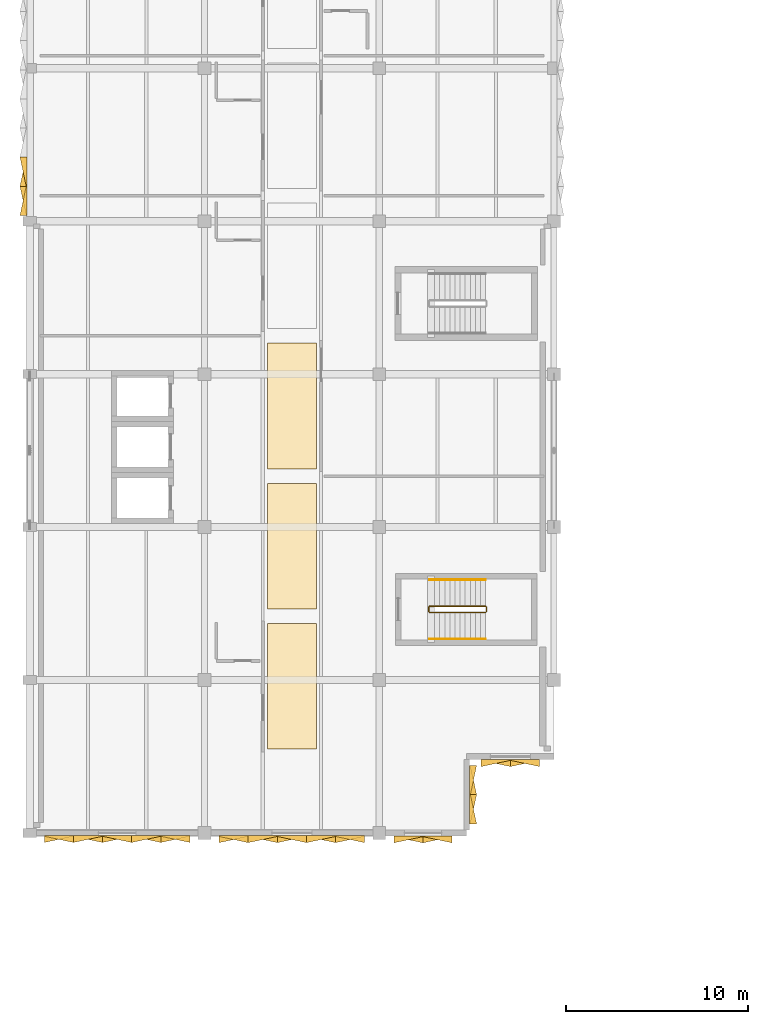
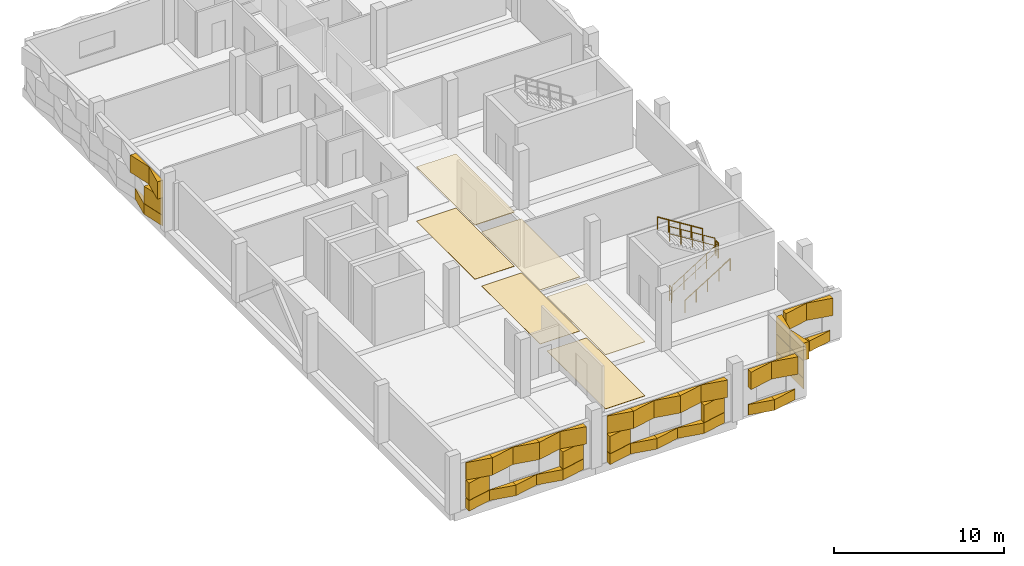
# One storey, part 49 of 57: 49 coverings, 6 railings.
"""IFC4 building model written with IfcOpenShell, lengths in metres."""

from ifc_helpers import new_model, si_unit, direction, frame, origin, origin_2d, place, context, subcontext, project, spatial, polyline, circle, outline, extrude, material, layer, layer_set, type_object, element, save


model = new_model("IFC4")

# Units and contexts
model_context = context("Model", 3, precision=1e-05, world=origin(), true_north=direction((0.0, 1.0)))
body_context = subcontext(model_context, "Body", "Model", "MODEL_VIEW")
ifc_project = project(units=[si_unit("LENGTHUNIT", "METRE"), si_unit("AREAUNIT", "SQUARE_METRE"), si_unit("VOLUMEUNIT", "CUBIC_METRE"), si_unit("PLANEANGLEUNIT", "RADIAN"), si_unit("MASSUNIT", "GRAM", prefix="KILO")], contexts=[model_context])

# Site, building, storey
site_placement = place(None, origin())
site = spatial("IfcSite", under=ifc_project, at=site_placement, CompositionType="ELEMENT")
building_placement = place(site_placement, origin())
building = spatial("IfcBuilding", under=site, at=building_placement, Name="Oolite Switchyard Hospital", CompositionType="ELEMENT")
storey_placement = place(building_placement, frame((0.0, 0.0, 17.800048828125)))
storey = spatial("IfcBuildingStorey", under=building, at=storey_placement, Name="L04", CompositionType="ELEMENT", Elevation=17.800048828125)

# Coverings
ifc_material_1 = material(Name="Hygienic washable mineral-fibre acoustic ceiling")
ifc_layer_1 = layer(ifc_material_1, 0.0400390625)
ifc_layer_set_1 = layer_set([ifc_layer_1], Name="COV-CEIL-AC60")
covering_type_1 = type_object("IfcCoveringType", Name="COV-CEIL-AC60", PredefinedType="CEILING", material=ifc_layer_set_1)
covering_1_placement = place(storey_placement, frame((0.0, 0.0, 3.885009765625)))
element("IfcCovering", 1, at=covering_1_placement, inside=storey, type_object=covering_type_1, Name="L04 West Maternal LDRP Ward Corridor Ceiling 1", PredefinedType="CEILING", context=body_context, shape_type="SweptSolid", body=[
    extrude(outline(polyline([(13.050048828125, 38.199951171875), (15.75, 38.199951171875), (15.75, 45.10009765625), (13.050048828125, 45.10009765625), (13.050048828125, 38.199951171875)])), origin(), (0.0, 0.0, 1.0), 0.0400390625),
])
covering_2_placement = place(storey_placement, frame((0.0, 0.0, 3.885009765625)))
element("IfcCovering", 2, at=covering_2_placement, inside=storey, type_object=covering_type_1, Name="L04 West Maternal LDRP Ward Corridor Ceiling 2", PredefinedType="CEILING", context=body_context, shape_type="SweptSolid", body=[
    extrude(outline(polyline([(13.050048828125, 45.89990234375), (15.75, 45.89990234375), (15.75, 52.800048828125), (13.050048828125, 52.800048828125), (13.050048828125, 45.89990234375)])), origin(), (0.0, 0.0, 1.0), 0.0400390625),
])
covering_3_placement = place(storey_placement, frame((0.0, 0.0, 3.885009765625)))
element("IfcCovering", 3, at=covering_3_placement, inside=storey, type_object=covering_type_1, Name="L04 West Maternal LDRP Ward Corridor Ceiling 3", PredefinedType="CEILING", context=body_context, shape_type="SweptSolid", body=[
    extrude(outline(polyline([(13.050048828125, 53.60009765625), (15.75, 53.60009765625), (15.75, 60.5), (13.050048828125, 60.5), (13.050048828125, 53.60009765625)])), origin(), (0.0, 0.0, 1.0), 0.0400390625),
])
ifc_material_2 = material(Name="Precast oolitic limestone architectural concrete C40/50", Category="masonry")
covering_type_2 = type_object("IfcCoveringType", Name="COV-CHEV-WARM", PredefinedType="CLADDING", material=ifc_material_2)
covering_4_placement = place(storey_placement, frame((8.800048828125, 33.4599609375, 0.050048828125), z_axis=(0.0, 0.0, 1.0), x_axis=(-1.0, 0.0, 0.0)))
element("IfcCovering", 4, at=covering_4_placement, inside=storey, type_object=covering_type_2, Name="L04 Chevron Precast Oolite Panel 632", PredefinedType="CLADDING", context=body_context, shape_type="SweptSolid", body=[
    extrude(outline(polyline([(0.0, 0.0), (1.60009765625, 0.0), (1.60009765625, 0.385009765625), (0.0, 0.044921875), (0.0, 0.0)])), origin(), (0.0, 0.0, 1.0), 0.760009765625),
])
covering_5_placement = place(storey_placement, frame((8.800048828125, 33.4599609375, 2.08984375), z_axis=(0.0, 0.0, 1.0), x_axis=(-1.0, 0.0, 0.0)))
element("IfcCovering", 5, at=covering_5_placement, inside=storey, type_object=covering_type_2, Name="L04 Chevron Precast Oolite Panel 633", PredefinedType="CLADDING", context=body_context, shape_type="SweptSolid", body=[
    extrude(outline(polyline([(0.0, 0.0), (1.60009765625, 0.0), (1.60009765625, 0.044921875), (0.0, 0.385009765625), (0.0, 0.0)])), origin(), (0.0, 0.0, 1.0), 1.25),
])
covering_6_placement = place(storey_placement, frame((8.800048828125, 33.4599609375, 0.829833984375), z_axis=(0.0, 0.0, 1.0), x_axis=(-1.0, 0.0, 0.0)))
element("IfcCovering", 6, at=covering_6_placement, inside=storey, type_object=covering_type_2, Name="L04 Chevron Precast Oolite Panel 634", PredefinedType="CLADDING", context=body_context, shape_type="SweptSolid", body=[
    extrude(outline(polyline([(0.0, 0.0), (1.60009765625, 0.0), (1.60009765625, 0.385009765625), (0.0, 0.044921875), (0.0, 0.0)])), origin(), (0.0, 0.0, 1.0), 1.240234375),
])
covering_7_placement = place(storey_placement, frame((7.199951171875, 33.4599609375, 0.050048828125), z_axis=(0.0, 0.0, 1.0), x_axis=(-1.0, 0.0, 0.0)))
element("IfcCovering", 7, at=covering_7_placement, inside=storey, type_object=covering_type_2, Name="L04 Chevron Precast Oolite Panel 635", PredefinedType="CLADDING", context=body_context, shape_type="SweptSolid", body=[
    extrude(outline(polyline([(0.0, 0.0), (1.599853515625, 0.0), (1.599853515625, 0.044921875), (0.0, 0.385009765625), (0.0, 0.0)])), origin(), (0.0, 0.0, 1.0), 0.760009765625),
])
covering_8_placement = place(storey_placement, frame((7.199951171875, 33.4599609375, 2.08984375), z_axis=(0.0, 0.0, 1.0), x_axis=(-1.0, 0.0, 0.0)))
element("IfcCovering", 8, at=covering_8_placement, inside=storey, type_object=covering_type_2, Name="L04 Chevron Precast Oolite Panel 636", PredefinedType="CLADDING", context=body_context, shape_type="SweptSolid", body=[
    extrude(outline(polyline([(0.0, 0.0), (1.599853515625, 0.0), (1.599853515625, 0.385009765625), (0.0, 0.044921875), (0.0, 0.0)])), origin(), (0.0, 0.0, 1.0), 1.25),
])
covering_9_placement = place(storey_placement, frame((5.60009765625, 33.4599609375, 0.050048828125), z_axis=(0.0, 0.0, 1.0), x_axis=(-1.0, 0.0, 0.0)))
element("IfcCovering", 9, at=covering_9_placement, inside=storey, type_object=covering_type_2, Name="L04 Chevron Precast Oolite Panel 637", PredefinedType="CLADDING", context=body_context, shape_type="SweptSolid", body=[
    extrude(outline(polyline([(0.0, 0.0), (1.60009765625, 0.0), (1.60009765625, 0.385009765625), (0.0, 0.044921875), (0.0, 0.0)])), origin(), (0.0, 0.0, 1.0), 0.760009765625),
])
covering_10_placement = place(storey_placement, frame((5.60009765625, 33.4599609375, 2.08984375), z_axis=(0.0, 0.0, 1.0), x_axis=(-1.0, 0.0, 0.0)))
element("IfcCovering", 10, at=covering_10_placement, inside=storey, type_object=covering_type_2, Name="L04 Chevron Precast Oolite Panel 638", PredefinedType="CLADDING", context=body_context, shape_type="SweptSolid", body=[
    extrude(outline(polyline([(0.0, 0.0), (1.60009765625, 0.0), (1.60009765625, 0.044921875), (0.0, 0.385009765625), (0.0, 0.0)])), origin(), (0.0, 0.0, 1.0), 1.25),
])
covering_11_placement = place(storey_placement, frame((4.0, 33.4599609375, 0.050048828125), z_axis=(0.0, 0.0, 1.0), x_axis=(-1.0, 0.0, 0.0)))
element("IfcCovering", 11, at=covering_11_placement, inside=storey, type_object=covering_type_2, Name="L04 Chevron Precast Oolite Panel 639", PredefinedType="CLADDING", context=body_context, shape_type="SweptSolid", body=[
    extrude(outline(polyline([(0.0, 0.0), (1.60009765625, 0.0), (1.60009765625, 0.044921875), (0.0, 0.385009765625), (0.0, 0.0)])), origin(), (0.0, 0.0, 1.0), 0.760009765625),
])
covering_12_placement = place(storey_placement, frame((4.0, 33.4599609375, 2.08984375), z_axis=(0.0, 0.0, 1.0), x_axis=(-1.0, 0.0, 0.0)))
element("IfcCovering", 12, at=covering_12_placement, inside=storey, type_object=covering_type_2, Name="L04 Chevron Precast Oolite Panel 640", PredefinedType="CLADDING", context=body_context, shape_type="SweptSolid", body=[
    extrude(outline(polyline([(0.0, 0.0), (1.60009765625, 0.0), (1.60009765625, 0.385009765625), (0.0, 0.044921875), (0.0, 0.0)])), origin(), (0.0, 0.0, 1.0), 1.25),
])
covering_13_placement = place(storey_placement, frame((2.39990234375, 33.4599609375, 0.050048828125), z_axis=(0.0, 0.0, 1.0), x_axis=(-1.0, 0.0, 0.0)))
element("IfcCovering", 13, at=covering_13_placement, inside=storey, type_object=covering_type_2, Name="L04 Chevron Precast Oolite Panel 641", PredefinedType="CLADDING", context=body_context, shape_type="SweptSolid", body=[
    extrude(outline(polyline([(0.0, 0.0), (1.599853515625, 0.0), (1.599853515625, 0.385009765625), (0.0, 0.044921875), (0.0, 0.0)])), origin(), (0.0, 0.0, 1.0), 0.760009765625),
])
covering_14_placement = place(storey_placement, frame((2.39990234375, 33.4599609375, 2.08984375), z_axis=(0.0, 0.0, 1.0), x_axis=(-1.0, 0.0, 0.0)))
element("IfcCovering", 14, at=covering_14_placement, inside=storey, type_object=covering_type_2, Name="L04 Chevron Precast Oolite Panel 642", PredefinedType="CLADDING", context=body_context, shape_type="SweptSolid", body=[
    extrude(outline(polyline([(0.0, 0.0), (1.599853515625, 0.0), (1.599853515625, 0.044921875), (0.0, 0.385009765625), (0.0, 0.0)])), origin(), (0.0, 0.0, 1.0), 1.25),
])
covering_15_placement = place(storey_placement, frame((2.39990234375, 33.4599609375, 0.829833984375), z_axis=(0.0, 0.0, 1.0), x_axis=(-1.0, 0.0, 0.0)))
element("IfcCovering", 15, at=covering_15_placement, inside=storey, type_object=covering_type_2, Name="L04 Chevron Precast Oolite Panel 643", PredefinedType="CLADDING", context=body_context, shape_type="SweptSolid", body=[
    extrude(outline(polyline([(0.0, 0.0), (1.599853515625, 0.0), (1.599853515625, 0.385009765625), (0.0, 0.044921875), (0.0, 0.0)])), origin(), (0.0, 0.0, 1.0), 1.240234375),
])
covering_16_placement = place(storey_placement, frame((18.39990234375, 33.449951171875, 0.050048828125), z_axis=(0.0, 0.0, 1.0), x_axis=(-1.0, 0.0, 0.0)))
element("IfcCovering", 16, at=covering_16_placement, inside=storey, type_object=covering_type_2, Name="L04 Chevron Precast Oolite Panel 644", PredefinedType="CLADDING", context=body_context, shape_type="SweptSolid", body=[
    extrude(outline(polyline([(0.0, 0.0), (1.599853515625, 0.0), (1.599853515625, 0.385009765625), (0.0, 0.044921875), (0.0, 0.0)])), origin(), (0.0, 0.0, 1.0), 0.760009765625),
])
covering_17_placement = place(storey_placement, frame((18.39990234375, 33.449951171875, 2.08984375), z_axis=(0.0, 0.0, 1.0), x_axis=(-1.0, 0.0, 0.0)))
element("IfcCovering", 17, at=covering_17_placement, inside=storey, type_object=covering_type_2, Name="L04 Chevron Precast Oolite Panel 645", PredefinedType="CLADDING", context=body_context, shape_type="SweptSolid", body=[
    extrude(outline(polyline([(0.0, 0.0), (1.599853515625, 0.0), (1.599853515625, 0.044921875), (0.0, 0.385009765625), (0.0, 0.0)])), origin(), (0.0, 0.0, 1.0), 1.25),
])
covering_18_placement = place(storey_placement, frame((18.39990234375, 33.449951171875, 0.829833984375), z_axis=(0.0, 0.0, 1.0), x_axis=(-1.0, 0.0, 0.0)))
element("IfcCovering", 18, at=covering_18_placement, inside=storey, type_object=covering_type_2, Name="L04 Chevron Precast Oolite Panel 646", PredefinedType="CLADDING", context=body_context, shape_type="SweptSolid", body=[
    extrude(outline(polyline([(0.0, 0.0), (1.599853515625, 0.0), (1.599853515625, 0.385009765625), (0.0, 0.044921875), (0.0, 0.0)])), origin(), (0.0, 0.0, 1.0), 1.240234375),
])
covering_19_placement = place(storey_placement, frame((16.800048828125, 33.449951171875, 0.050048828125), z_axis=(0.0, 0.0, 1.0), x_axis=(-1.0, 0.0, 0.0)))
element("IfcCovering", 19, at=covering_19_placement, inside=storey, type_object=covering_type_2, Name="L04 Chevron Precast Oolite Panel 647", PredefinedType="CLADDING", context=body_context, shape_type="SweptSolid", body=[
    extrude(outline(polyline([(0.0, 0.0), (1.60009765625, 0.0), (1.60009765625, 0.044921875), (0.0, 0.385009765625), (0.0, 0.0)])), origin(), (0.0, 0.0, 1.0), 0.760009765625),
])
covering_20_placement = place(storey_placement, frame((16.800048828125, 33.449951171875, 2.08984375), z_axis=(0.0, 0.0, 1.0), x_axis=(-1.0, 0.0, 0.0)))
element("IfcCovering", 20, at=covering_20_placement, inside=storey, type_object=covering_type_2, Name="L04 Chevron Precast Oolite Panel 648", PredefinedType="CLADDING", context=body_context, shape_type="SweptSolid", body=[
    extrude(outline(polyline([(0.0, 0.0), (1.60009765625, 0.0), (1.60009765625, 0.385009765625), (0.0, 0.044921875), (0.0, 0.0)])), origin(), (0.0, 0.0, 1.0), 1.25),
])
covering_21_placement = place(storey_placement, frame((15.199951171875, 33.449951171875, 0.050048828125), z_axis=(0.0, 0.0, 1.0), x_axis=(-1.0, 0.0, 0.0)))
element("IfcCovering", 21, at=covering_21_placement, inside=storey, type_object=covering_type_2, Name="L04 Chevron Precast Oolite Panel 649", PredefinedType="CLADDING", context=body_context, shape_type="SweptSolid", body=[
    extrude(outline(polyline([(0.0, 0.0), (1.599853515625, 0.0), (1.599853515625, 0.385009765625), (0.0, 0.044921875), (0.0, 0.0)])), origin(), (0.0, 0.0, 1.0), 0.760009765625),
])
covering_22_placement = place(storey_placement, frame((15.199951171875, 33.449951171875, 2.08984375), z_axis=(0.0, 0.0, 1.0), x_axis=(-1.0, 0.0, 0.0)))
element("IfcCovering", 22, at=covering_22_placement, inside=storey, type_object=covering_type_2, Name="L04 Chevron Precast Oolite Panel 650", PredefinedType="CLADDING", context=body_context, shape_type="SweptSolid", body=[
    extrude(outline(polyline([(0.0, 0.0), (1.599853515625, 0.0), (1.599853515625, 0.044921875), (0.0, 0.385009765625), (0.0, 0.0)])), origin(), (0.0, 0.0, 1.0), 1.25),
])
covering_23_placement = place(storey_placement, frame((13.60009765625, 33.449951171875, 0.050048828125), z_axis=(0.0, 0.0, 1.0), x_axis=(-1.0, 0.0, 0.0)))
element("IfcCovering", 23, at=covering_23_placement, inside=storey, type_object=covering_type_2, Name="L04 Chevron Precast Oolite Panel 651", PredefinedType="CLADDING", context=body_context, shape_type="SweptSolid", body=[
    extrude(outline(polyline([(0.0, 0.0), (1.60009765625, 0.0), (1.60009765625, 0.044921875), (0.0, 0.385009765625), (0.0, 0.0)])), origin(), (0.0, 0.0, 1.0), 0.760009765625),
])
covering_24_placement = place(storey_placement, frame((13.60009765625, 33.449951171875, 2.08984375), z_axis=(0.0, 0.0, 1.0), x_axis=(-1.0, 0.0, 0.0)))
element("IfcCovering", 24, at=covering_24_placement, inside=storey, type_object=covering_type_2, Name="L04 Chevron Precast Oolite Panel 652", PredefinedType="CLADDING", context=body_context, shape_type="SweptSolid", body=[
    extrude(outline(polyline([(0.0, 0.0), (1.60009765625, 0.0), (1.60009765625, 0.385009765625), (0.0, 0.044921875), (0.0, 0.0)])), origin(), (0.0, 0.0, 1.0), 1.25),
])
covering_25_placement = place(storey_placement, frame((12.0, 33.449951171875, 0.050048828125), z_axis=(0.0, 0.0, 1.0), x_axis=(-1.0, 0.0, 0.0)))
element("IfcCovering", 25, at=covering_25_placement, inside=storey, type_object=covering_type_2, Name="L04 Chevron Precast Oolite Panel 653", PredefinedType="CLADDING", context=body_context, shape_type="SweptSolid", body=[
    extrude(outline(polyline([(0.0, 0.0), (1.60009765625, 0.0), (1.60009765625, 0.385009765625), (0.0, 0.044921875), (0.0, 0.0)])), origin(), (0.0, 0.0, 1.0), 0.760009765625),
])
covering_26_placement = place(storey_placement, frame((12.0, 33.449951171875, 2.08984375), z_axis=(0.0, 0.0, 1.0), x_axis=(-1.0, 0.0, 0.0)))
element("IfcCovering", 26, at=covering_26_placement, inside=storey, type_object=covering_type_2, Name="L04 Chevron Precast Oolite Panel 654", PredefinedType="CLADDING", context=body_context, shape_type="SweptSolid", body=[
    extrude(outline(polyline([(0.0, 0.0), (1.60009765625, 0.0), (1.60009765625, 0.044921875), (0.0, 0.385009765625), (0.0, 0.0)])), origin(), (0.0, 0.0, 1.0), 1.25),
])
covering_27_placement = place(storey_placement, frame((12.0, 33.449951171875, 0.829833984375), z_axis=(0.0, 0.0, 1.0), x_axis=(-1.0, 0.0, 0.0)))
element("IfcCovering", 27, at=covering_27_placement, inside=storey, type_object=covering_type_2, Name="L04 Chevron Precast Oolite Panel 655", PredefinedType="CLADDING", context=body_context, shape_type="SweptSolid", body=[
    extrude(outline(polyline([(0.0, 0.0), (1.60009765625, 0.0), (1.60009765625, 0.385009765625), (0.0, 0.044921875), (0.0, 0.0)])), origin(), (0.0, 0.0, 1.0), 1.240234375),
])
covering_28_placement = place(storey_placement, frame((23.199951171875, 33.43994140625, 0.050048828125), z_axis=(0.0, 0.0, 1.0), x_axis=(-1.0, 0.0, 0.0)))
element("IfcCovering", 28, at=covering_28_placement, inside=storey, type_object=covering_type_2, Name="L04 Chevron Precast Oolite Panel 656", PredefinedType="CLADDING", context=body_context, shape_type="SweptSolid", body=[
    extrude(outline(polyline([(0.0, 0.0), (1.599853515625, 0.0), (1.599853515625, 0.385009765625), (0.0, 0.044921875), (0.0, 0.0)])), origin(), (0.0, 0.0, 1.0), 0.760009765625),
])
covering_29_placement = place(storey_placement, frame((23.199951171875, 33.43994140625, 2.08984375), z_axis=(0.0, 0.0, 1.0), x_axis=(-1.0, 0.0, 0.0)))
element("IfcCovering", 29, at=covering_29_placement, inside=storey, type_object=covering_type_2, Name="L04 Chevron Precast Oolite Panel 657", PredefinedType="CLADDING", context=body_context, shape_type="SweptSolid", body=[
    extrude(outline(polyline([(0.0, 0.0), (1.599853515625, 0.0), (1.599853515625, 0.044921875), (0.0, 0.385009765625), (0.0, 0.0)])), origin(), (0.0, 0.0, 1.0), 1.25),
])
covering_30_placement = place(storey_placement, frame((21.60009765625, 33.43994140625, 0.050048828125), z_axis=(0.0, 0.0, 1.0), x_axis=(-1.0, 0.0, 0.0)))
element("IfcCovering", 30, at=covering_30_placement, inside=storey, type_object=covering_type_2, Name="L04 Chevron Precast Oolite Panel 658", PredefinedType="CLADDING", context=body_context, shape_type="SweptSolid", body=[
    extrude(outline(polyline([(0.0, 0.0), (1.60009765625, 0.0), (1.60009765625, 0.044921875), (0.0, 0.385009765625), (0.0, 0.0)])), origin(), (0.0, 0.0, 1.0), 0.760009765625),
])
covering_31_placement = place(storey_placement, frame((21.60009765625, 33.43994140625, 2.08984375), z_axis=(0.0, 0.0, 1.0), x_axis=(-1.0, 0.0, 0.0)))
element("IfcCovering", 31, at=covering_31_placement, inside=storey, type_object=covering_type_2, Name="L04 Chevron Precast Oolite Panel 659", PredefinedType="CLADDING", context=body_context, shape_type="SweptSolid", body=[
    extrude(outline(polyline([(0.0, 0.0), (1.60009765625, 0.0), (1.60009765625, 0.385009765625), (0.0, 0.044921875), (0.0, 0.0)])), origin(), (0.0, 0.0, 1.0), 1.25),
])
covering_32_placement = place(storey_placement, frame((28.0, 37.6298828125, 0.050048828125), z_axis=(0.0, 0.0, 1.0), x_axis=(-1.0, 0.0, 0.0)))
element("IfcCovering", 32, at=covering_32_placement, inside=storey, type_object=covering_type_2, Name="L04 Chevron Precast Oolite Panel 660", PredefinedType="CLADDING", context=body_context, shape_type="SweptSolid", body=[
    extrude(outline(polyline([(0.0, 0.0), (1.60009765625, 0.0), (1.60009765625, 0.385009765625), (0.0, 0.044921875), (0.0, 0.0)])), origin(), (0.0, 0.0, 1.0), 0.760009765625),
])
covering_33_placement = place(storey_placement, frame((28.0, 37.6298828125, 2.08984375), z_axis=(0.0, 0.0, 1.0), x_axis=(-1.0, 0.0, 0.0)))
element("IfcCovering", 33, at=covering_33_placement, inside=storey, type_object=covering_type_2, Name="L04 Chevron Precast Oolite Panel 661", PredefinedType="CLADDING", context=body_context, shape_type="SweptSolid", body=[
    extrude(outline(polyline([(0.0, 0.0), (1.60009765625, 0.0), (1.60009765625, 0.044921875), (0.0, 0.385009765625), (0.0, 0.0)])), origin(), (0.0, 0.0, 1.0), 1.25),
])
covering_34_placement = place(storey_placement, frame((26.39990234375, 37.6298828125, 0.050048828125), z_axis=(0.0, 0.0, 1.0), x_axis=(-1.0, 0.0, 0.0)))
element("IfcCovering", 34, at=covering_34_placement, inside=storey, type_object=covering_type_2, Name="L04 Chevron Precast Oolite Panel 662", PredefinedType="CLADDING", context=body_context, shape_type="SweptSolid", body=[
    extrude(outline(polyline([(0.0, 0.0), (1.599853515625, 0.0), (1.599853515625, 0.044921875), (0.0, 0.385009765625), (0.0, 0.0)])), origin(), (0.0, 0.0, 1.0), 0.760009765625),
])
covering_35_placement = place(storey_placement, frame((26.39990234375, 37.6298828125, 2.08984375), z_axis=(0.0, 0.0, 1.0), x_axis=(-1.0, 0.0, 0.0)))
element("IfcCovering", 35, at=covering_35_placement, inside=storey, type_object=covering_type_2, Name="L04 Chevron Precast Oolite Panel 663", PredefinedType="CLADDING", context=body_context, shape_type="SweptSolid", body=[
    extrude(outline(polyline([(0.0, 0.0), (1.599853515625, 0.0), (1.599853515625, 0.385009765625), (0.0, 0.044921875), (0.0, 0.0)])), origin(), (0.0, 0.0, 1.0), 1.25),
])
covering_36_placement = place(storey_placement, frame((-0.14990234375, 67.52001953125, 0.050048828125), z_axis=(0.0, 0.0, 1.0), x_axis=(0.0, 1.0, 0.0)))
element("IfcCovering", 36, at=covering_36_placement, inside=storey, type_object=covering_type_2, Name="L04 Chevron Precast Oolite Panel 802", PredefinedType="CLADDING", context=body_context, shape_type="SweptSolid", body=[
    extrude(outline(polyline([(0.0, 0.0), (1.60009765625, 0.0), (1.60009765625, 0.385009765625), (0.0, 0.044921875), (0.0, 0.0)])), origin(), (0.0, 0.0, 1.0), 0.760009765625),
])
covering_37_placement = place(storey_placement, frame((-0.14990234375, 67.52001953125, 2.08984375), z_axis=(0.0, 0.0, 1.0), x_axis=(0.0, 1.0, 0.0)))
element("IfcCovering", 37, at=covering_37_placement, inside=storey, type_object=covering_type_2, Name="L04 Chevron Precast Oolite Panel 803", PredefinedType="CLADDING", context=body_context, shape_type="SweptSolid", body=[
    extrude(outline(polyline([(0.0, 0.0), (1.60009765625, 0.0), (1.60009765625, 0.044921875), (0.0, 0.385009765625), (0.0, 0.0)])), origin(), (0.0, 0.0, 1.0), 1.25),
])
covering_38_placement = place(storey_placement, frame((-0.14990234375, 67.52001953125, 0.829833984375), z_axis=(0.0, 0.0, 1.0), x_axis=(0.0, 1.0, 0.0)))
element("IfcCovering", 38, at=covering_38_placement, inside=storey, type_object=covering_type_2, Name="L04 Chevron Precast Oolite Panel 804", PredefinedType="CLADDING", context=body_context, shape_type="SweptSolid", body=[
    extrude(outline(polyline([(0.0, 0.0), (1.60009765625, 0.0), (1.60009765625, 0.385009765625), (0.0, 0.044921875), (0.0, 0.0)])), origin(), (0.0, 0.0, 1.0), 1.240234375),
])
covering_39_placement = place(storey_placement, frame((-0.14990234375, 69.1201171875, 0.050048828125), z_axis=(0.0, 0.0, 1.0), x_axis=(0.0, 1.0, 0.0)))
element("IfcCovering", 39, at=covering_39_placement, inside=storey, type_object=covering_type_2, Name="L04 Chevron Precast Oolite Panel 805", PredefinedType="CLADDING", context=body_context, shape_type="SweptSolid", body=[
    extrude(outline(polyline([(0.0, 0.0), (1.599853515625, 0.0), (1.599853515625, 0.044921875), (0.0, 0.385009765625), (0.0, 0.0)])), origin(), (0.0, 0.0, 1.0), 0.760009765625),
])
covering_40_placement = place(storey_placement, frame((-0.14990234375, 69.1201171875, 2.08984375), z_axis=(0.0, 0.0, 1.0), x_axis=(0.0, 1.0, 0.0)))
element("IfcCovering", 40, at=covering_40_placement, inside=storey, type_object=covering_type_2, Name="L04 Chevron Precast Oolite Panel 806", PredefinedType="CLADDING", context=body_context, shape_type="SweptSolid", body=[
    extrude(outline(polyline([(0.0, 0.0), (1.599853515625, 0.0), (1.599853515625, 0.385009765625), (0.0, 0.044921875), (0.0, 0.0)])), origin(), (0.0, 0.0, 1.0), 1.25),
])
covering_41_placement = place(storey_placement, frame((24.159912109375, 37.300048828125, 0.050048828125), z_axis=(0.0, 0.0, 1.0), x_axis=(0.0, -1.0, 0.0)))
element("IfcCovering", 41, at=covering_41_placement, inside=storey, type_object=covering_type_2, Name="L04 Chevron Precast Oolite Panel 832", PredefinedType="CLADDING", context=body_context, shape_type="SweptSolid", body=[
    extrude(outline(polyline([(0.0, 0.0), (1.60009765625, 0.0), (1.60009765625, 0.385009765625), (0.0, 0.044921875), (0.0, 0.0)])), origin(), (0.0, 0.0, 1.0), 0.760009765625),
])
covering_42_placement = place(storey_placement, frame((24.159912109375, 37.300048828125, 2.08984375), z_axis=(0.0, 0.0, 1.0), x_axis=(0.0, -1.0, 0.0)))
element("IfcCovering", 42, at=covering_42_placement, inside=storey, type_object=covering_type_2, Name="L04 Chevron Precast Oolite Panel 833", PredefinedType="CLADDING", context=body_context, shape_type="SweptSolid", body=[
    extrude(outline(polyline([(0.0, 0.0), (1.60009765625, 0.0), (1.60009765625, 0.044921875), (0.0, 0.385009765625), (0.0, 0.0)])), origin(), (0.0, 0.0, 1.0), 1.25),
])
covering_43_placement = place(storey_placement, frame((24.159912109375, 37.300048828125, 0.829833984375), z_axis=(0.0, 0.0, 1.0), x_axis=(0.0, -1.0, 0.0)))
element("IfcCovering", 43, at=covering_43_placement, inside=storey, type_object=covering_type_2, Name="L04 Chevron Precast Oolite Panel 834", PredefinedType="CLADDING", context=body_context, shape_type="SweptSolid", body=[
    extrude(outline(polyline([(0.0, 0.0), (1.60009765625, 0.0), (1.60009765625, 0.385009765625), (0.0, 0.044921875), (0.0, 0.0)])), origin(), (0.0, 0.0, 1.0), 1.240234375),
])
covering_44_placement = place(storey_placement, frame((24.159912109375, 35.699951171875, 0.050048828125), z_axis=(0.0, 0.0, 1.0), x_axis=(0.0, -1.0, 0.0)))
element("IfcCovering", 44, at=covering_44_placement, inside=storey, type_object=covering_type_2, Name="L04 Chevron Precast Oolite Panel 835", PredefinedType="CLADDING", context=body_context, shape_type="SweptSolid", body=[
    extrude(outline(polyline([(0.0, 0.0), (1.599853515625, 0.0), (1.599853515625, 0.044921875), (0.0, 0.385009765625), (0.0, 0.0)])), origin(), (0.0, 0.0, 1.0), 0.760009765625),
])
covering_45_placement = place(storey_placement, frame((24.159912109375, 35.699951171875, 2.08984375), z_axis=(0.0, 0.0, 1.0), x_axis=(0.0, -1.0, 0.0)))
element("IfcCovering", 45, at=covering_45_placement, inside=storey, type_object=covering_type_2, Name="L04 Chevron Precast Oolite Panel 836", PredefinedType="CLADDING", context=body_context, shape_type="SweptSolid", body=[
    extrude(outline(polyline([(0.0, 0.0), (1.599853515625, 0.0), (1.599853515625, 0.385009765625), (0.0, 0.044921875), (0.0, 0.0)])), origin(), (0.0, 0.0, 1.0), 1.25),
])
covering_46_placement = place(storey_placement, frame((24.159912109375, 35.699951171875, 0.829833984375), z_axis=(0.0, 0.0, 1.0), x_axis=(0.0, -1.0, 0.0)))
element("IfcCovering", 46, at=covering_46_placement, inside=storey, type_object=covering_type_2, Name="L04 Chevron Precast Oolite Panel 837", PredefinedType="CLADDING", context=body_context, shape_type="SweptSolid", body=[
    extrude(outline(polyline([(0.0, 0.0), (1.599853515625, 0.0), (1.599853515625, 0.044921875), (0.0, 0.385009765625), (0.0, 0.0)])), origin(), (0.0, 0.0, 1.0), 1.240234375),
])
ifc_material_3 = material(Name="Epoxy terrazzo seamless clinical flooring")
ifc_layer_2 = layer(ifc_material_3, 0.02001953125)
ifc_layer_set_2 = layer_set([ifc_layer_2], Name="COV-FLR-TER20")
covering_type_3 = type_object("IfcCoveringType", Name="COV-FLR-TER20", PredefinedType="FLOORING", material=ifc_layer_set_2)
covering_47_placement = place(storey_placement, origin())
element("IfcCovering", 47, at=covering_47_placement, inside=storey, type_object=covering_type_3, Name="L04 West Maternal LDRP Ward Corridor Flooring 1", PredefinedType="FLOORING", context=body_context, shape_type="SweptSolid", body=[
    extrude(outline(polyline([(13.050048828125, 38.199951171875), (15.75, 38.199951171875), (15.75, 45.10009765625), (13.050048828125, 45.10009765625), (13.050048828125, 38.199951171875)])), origin(), (0.0, 0.0, 1.0), 0.02001953125),
])
covering_48_placement = place(storey_placement, origin())
element("IfcCovering", 48, at=covering_48_placement, inside=storey, type_object=covering_type_3, Name="L04 West Maternal LDRP Ward Corridor Flooring 2", PredefinedType="FLOORING", context=body_context, shape_type="SweptSolid", body=[
    extrude(outline(polyline([(13.050048828125, 45.89990234375), (15.75, 45.89990234375), (15.75, 52.800048828125), (13.050048828125, 52.800048828125), (13.050048828125, 45.89990234375)])), origin(), (0.0, 0.0, 1.0), 0.02001953125),
])
covering_49_placement = place(storey_placement, origin())
element("IfcCovering", 49, at=covering_49_placement, inside=storey, type_object=covering_type_3, Name="L04 West Maternal LDRP Ward Corridor Flooring 3", PredefinedType="FLOORING", context=body_context, shape_type="SweptSolid", body=[
    extrude(outline(polyline([(13.050048828125, 53.60009765625), (15.75, 53.60009765625), (15.75, 60.5), (13.050048828125, 60.5), (13.050048828125, 53.60009765625)])), origin(), (0.0, 0.0, 1.0), 0.02001953125),
])

# Railings
ifc_material_4 = material(Name="Galvanized painted architectural steel handrail", Category="steel")
railing_type_1 = type_object("IfcRailingType", Name="RL-STAIR-GRD", PredefinedType="GUARDRAIL", material=ifc_material_4)
railing_1_placement = place(storey_placement, frame((21.9599609375, 45.7099609375, 0.175048828125)))
element("IfcRailing", 50, at=railing_1_placement, inside=storey, type_object=railing_type_1, Name="L04 ST-01 stair guard 1", PredefinedType="GUARDRAIL", context=body_context, shape_type="SweptSolid", body=[
    extrude(circle(Radius=0.02392578125, at=origin_2d()), frame((0.0, 0.0, 1.076171875), z_axis=(0.848028513186, 0.0, 0.529950602248), x_axis=(0.0, 1.0, 0.0)), (0.0, 0.0, 1.0), 3.632080078125),
    extrude(circle(Radius=0.015625, at=origin_2d()), frame((0.0, 0.0, 0.550048828125), z_axis=(0.848028513186, 0.0, 0.529950602248), x_axis=(0.0, 1.0, 0.0)), (0.0, 0.0, 1.0), 3.632080078125),
    extrude(circle(Radius=0.02099609375, at=origin_2d()), origin(), (0.0, 0.0, 1.0), 1.052001953125),
    extrude(circle(Radius=0.02099609375, at=origin_2d()), frame((0.77001953125, 0.0, 0.481201171875)), (0.0, 0.0, 1.0), 1.052001953125),
    extrude(circle(Radius=0.02099609375, at=origin_2d()), frame((1.5400390625, 0.0, 0.96240234375)), (0.0, 0.0, 1.0), 1.052001953125),
    extrude(circle(Radius=0.02099609375, at=origin_2d()), frame((2.31005859375, 0.0, 1.443603515625)), (0.0, 0.0, 1.0), 1.052001953125),
    extrude(circle(Radius=0.02099609375, at=origin_2d()), frame((3.080078125, 0.0, 1.9248046875)), (0.0, 0.0, 1.0), 1.052001953125),
])
railing_2_placement = place(storey_placement, frame((25.090087890625, 45.760009765625, 2.099853515625)))
element("IfcRailing", 51, at=railing_2_placement, inside=storey, type_object=railing_type_1, Name="L04 ST-01 stair guard 2", PredefinedType="GUARDRAIL", context=body_context, shape_type="SweptSolid", body=[
    extrude(circle(Radius=0.02392578125, at=origin_2d()), frame((0.0, 0.0, 1.076171875), z_axis=(0.0, 1.0, 0.0), x_axis=(-1.0, 0.0, 0.0)), (0.0, 0.0, 1.0), 0.239990234375),
    extrude(circle(Radius=0.015625, at=origin_2d()), frame((0.0, 0.0, 0.550048828125), z_axis=(0.0, 1.0, 0.0), x_axis=(-1.0, 0.0, 0.0)), (0.0, 0.0, 1.0), 0.239990234375),
    extrude(circle(Radius=0.02099609375, at=origin_2d()), origin(), (0.0, 0.0, 1.0), 1.052001953125),
    extrude(circle(Radius=0.02099609375, at=origin_2d()), frame((0.0, 0.239990234375, 0.0)), (0.0, 0.0, 1.0), 1.052001953125),
])
railing_3_placement = place(storey_placement, frame((25.0400390625, 46.050048828125, 2.27490234375)))
element("IfcRailing", 52, at=railing_3_placement, inside=storey, type_object=railing_type_1, Name="L04 ST-01 stair guard 3", PredefinedType="GUARDRAIL", context=body_context, shape_type="SweptSolid", body=[
    extrude(circle(Radius=0.02392578125, at=origin_2d()), frame((0.0, 0.0, 1.076171875), z_axis=(-0.847998304005, 0.0, 0.529998940003), x_axis=(0.0, -1.0, 0.0)), (0.0, 0.0, 1.0), 3.632080078125),
    extrude(circle(Radius=0.015625, at=origin_2d()), frame((0.0, 0.0, 0.550048828125), z_axis=(-0.847998304005, 0.0, 0.529998940003), x_axis=(0.0, -1.0, 0.0)), (0.0, 0.0, 1.0), 3.632080078125),
    extrude(circle(Radius=0.02099609375, at=origin_2d()), origin(), (0.0, 0.0, 1.0), 1.052001953125),
    extrude(circle(Radius=0.02099609375, at=origin_2d()), frame((-0.77001953125, 0.0, 0.481201171875)), (0.0, 0.0, 1.0), 1.052001953125),
    extrude(circle(Radius=0.02099609375, at=origin_2d()), frame((-1.5400390625, 0.0, 0.96240234375)), (0.0, 0.0, 1.0), 1.052001953125),
    extrude(circle(Radius=0.02099609375, at=origin_2d()), frame((-2.31005859375, 0.0, 1.44384765625)), (0.0, 0.0, 1.0), 1.052001953125),
    extrude(circle(Radius=0.02099609375, at=origin_2d()), frame((-3.080078125, 0.0, 1.925048828125)), (0.0, 0.0, 1.0), 1.052001953125),
])
railing_4_placement = place(storey_placement, frame((21.909912109375, 45.760009765625, 0.0)))
element("IfcRailing", 53, at=railing_4_placement, inside=storey, type_object=railing_type_1, Name="L04 ST-01 stair guard 4", PredefinedType="GUARDRAIL", context=body_context, shape_type="SweptSolid", body=[
    extrude(circle(Radius=0.02392578125, at=origin_2d()), frame((0.0, 0.0, 1.076171875), z_axis=(0.0, 1.0, 0.0), x_axis=(-1.0, 0.0, 0.0)), (0.0, 0.0, 1.0), 0.239990234375),
    extrude(circle(Radius=0.015625, at=origin_2d()), frame((0.0, 0.0, 0.550048828125), z_axis=(0.0, 1.0, 0.0), x_axis=(-1.0, 0.0, 0.0)), (0.0, 0.0, 1.0), 0.239990234375),
    extrude(circle(Radius=0.02099609375, at=origin_2d()), origin(), (0.0, 0.0, 1.0), 1.052001953125),
    extrude(circle(Radius=0.02099609375, at=origin_2d()), frame((0.0, 0.239990234375, 0.0)), (0.0, 0.0, 1.0), 1.052001953125),
])
railing_type_2 = type_object("IfcRailingType", Name="RL-STAIR-HND", PredefinedType="HANDRAIL", material=ifc_material_4)
railing_5_placement = place(storey_placement, frame((21.9599609375, 44.25, 0.175048828125)))
element("IfcRailing", 54, at=railing_5_placement, inside=storey, type_object=railing_type_2, Name="L04 ST-01 stair handrail 1", PredefinedType="HANDRAIL", context=body_context, shape_type="SweptSolid", body=[
    extrude(circle(Radius=0.02392578125, at=origin_2d()), frame((0.0, 0.0, 0.8759765625), z_axis=(0.848028513186, 0.0, 0.529950602248), x_axis=(0.0, 1.0, 0.0)), (0.0, 0.0, 1.0), 3.632080078125),
    extrude(circle(Radius=0.02099609375, at=origin_2d()), origin(), (0.0, 0.0, 1.0), 0.851806640625),
    extrude(circle(Radius=0.02099609375, at=origin_2d()), frame((0.77001953125, 0.0, 0.481201171875)), (0.0, 0.0, 1.0), 0.851806640625),
    extrude(circle(Radius=0.02099609375, at=origin_2d()), frame((1.5400390625, 0.0, 0.96240234375)), (0.0, 0.0, 1.0), 0.851806640625),
    extrude(circle(Radius=0.02099609375, at=origin_2d()), frame((2.31005859375, 0.0, 1.443603515625)), (0.0, 0.0, 1.0), 0.851806640625),
    extrude(circle(Radius=0.02099609375, at=origin_2d()), frame((3.080078125, 0.0, 1.9248046875)), (0.0, 0.0, 1.0), 0.851806640625),
])
railing_6_placement = place(storey_placement, frame((25.0400390625, 47.510009765625, 2.27490234375)))
element("IfcRailing", 55, at=railing_6_placement, inside=storey, type_object=railing_type_2, Name="L04 ST-01 stair handrail 2", PredefinedType="HANDRAIL", context=body_context, shape_type="SweptSolid", body=[
    extrude(circle(Radius=0.02392578125, at=origin_2d()), frame((0.0, 0.0, 0.8759765625), z_axis=(-0.847998304005, 0.0, 0.529998940003), x_axis=(0.0, -1.0, 0.0)), (0.0, 0.0, 1.0), 3.632080078125),
    extrude(circle(Radius=0.02099609375, at=origin_2d()), origin(), (0.0, 0.0, 1.0), 0.851806640625),
    extrude(circle(Radius=0.02099609375, at=origin_2d()), frame((-0.77001953125, 0.0, 0.481201171875)), (0.0, 0.0, 1.0), 0.851806640625),
    extrude(circle(Radius=0.02099609375, at=origin_2d()), frame((-1.5400390625, 0.0, 0.96240234375)), (0.0, 0.0, 1.0), 0.851806640625),
    extrude(circle(Radius=0.02099609375, at=origin_2d()), frame((-2.31005859375, 0.0, 1.44384765625)), (0.0, 0.0, 1.0), 0.851806640625),
    extrude(circle(Radius=0.02099609375, at=origin_2d()), frame((-3.080078125, 0.0, 1.925048828125)), (0.0, 0.0, 1.0), 0.851806640625),
])

save(model, "model.ifc")
